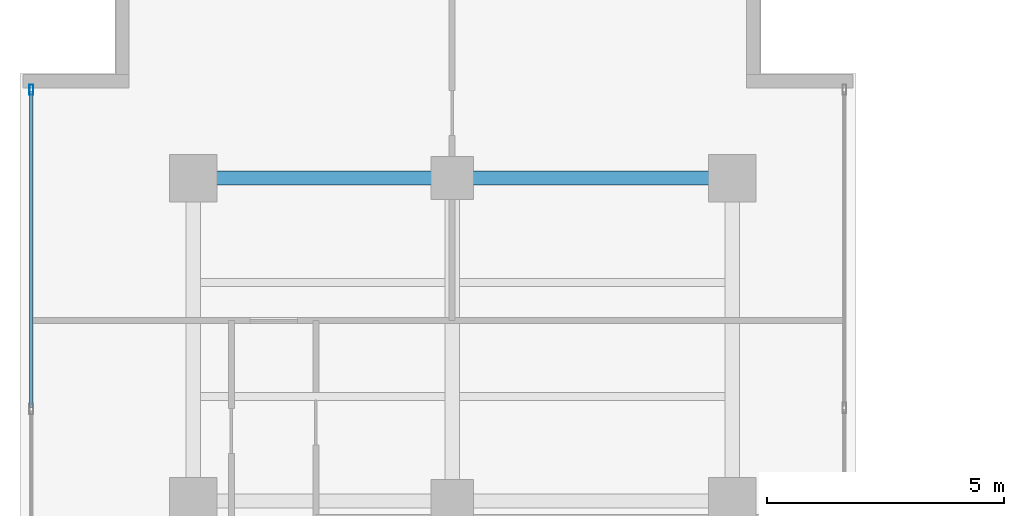
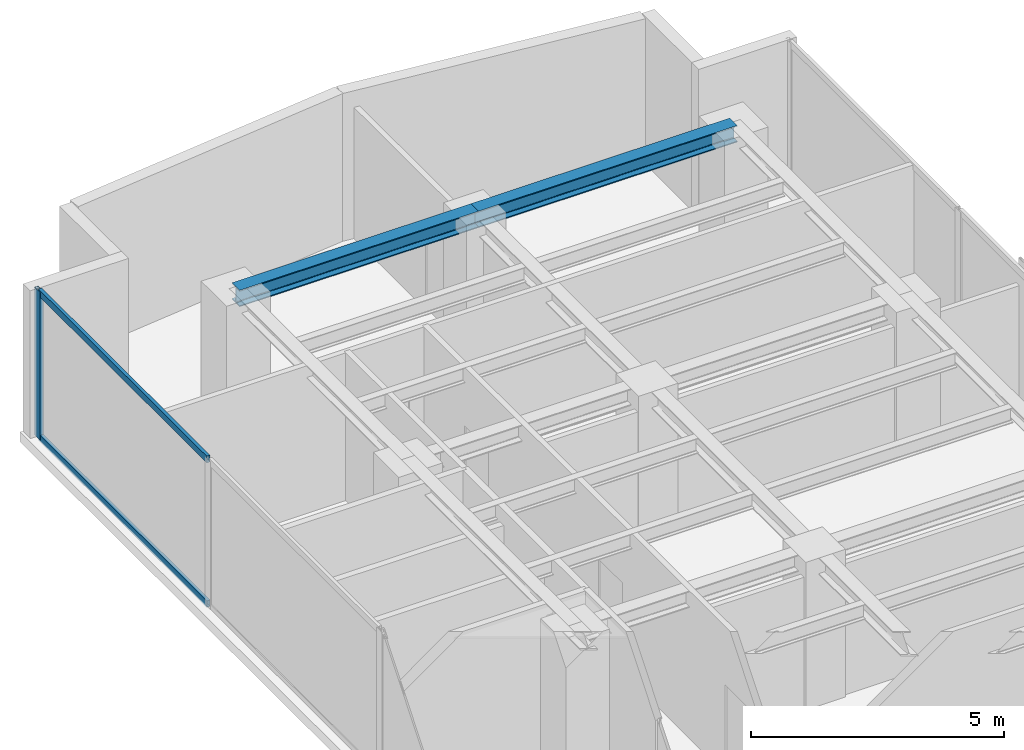
# One storey, part 14 of 23: 3 members, 2 beams, 1 element without a shape of its own.
"""IFC4 building model written with IfcOpenShell, lengths in metres."""

from ifc_helpers import new_model, si_unit, direction, frame, origin, origin_with_axes, origin_2d, place, context, subcontext, project, spatial, hollow_rectangle, i_section, extrude, source, transform, mapped, material, layer, layer_set, material_profile, profile_set, type_object, element, aggregate, save


model = new_model("IFC4")

# Units and contexts
model_context = context("Model", 3, precision=1e-05, world=origin(), true_north=direction((0.0, 1.0)))
body_context = subcontext(model_context, "Body", "Model", "MODEL_VIEW")
ifc_project = project(units=[si_unit("LENGTHUNIT", "METRE"), si_unit("AREAUNIT", "SQUARE_METRE"), si_unit("VOLUMEUNIT", "CUBIC_METRE"), si_unit("PLANEANGLEUNIT", "RADIAN"), si_unit("MASSUNIT", "GRAM", prefix="KILO")], contexts=[model_context])

# Site, building, storey
site_placement = place(None, origin())
site = spatial("IfcSite", under=ifc_project, at=site_placement, CompositionType="ELEMENT")
building_placement = place(site_placement, origin())
building = spatial("IfcBuilding", under=site, at=building_placement, Name="Kolvaren Waterfront Exchange", CompositionType="ELEMENT")
storey_placement = place(building_placement, frame((0.0, 0.0, 234.89990234375)))
storey = spatial("IfcBuildingStorey", under=building, at=storey_placement, Name="L60", CompositionType="ELEMENT", Elevation=234.89990234375)

# Beams
ifc_material_1 = material(Name="Steel S355", Category="steel")
ifc_material_profile_1 = material_profile(ifc_material_1, i_section(OverallWidth=0.300048828125, OverallDepth=0.39990234375, WebThickness=0.013427734375, FlangeThickness=0.02392578125, FilletRadius=0.027099609375, at=origin_2d()), Name="HEB400")
ifc_profile_set_1 = profile_set([ifc_material_profile_1], Name="Steel S355")
beam_type = type_object("IfcBeamType", Name="STR-BM-HEB400", PredefinedType="BEAM", material=ifc_profile_set_1)
beam_1_placement = place(storey_placement, frame((7.449951171875, 44.60009765625, 3.360107421875), z_axis=(1.0, 0.0, 0.0), x_axis=(0.0, 1.0, 0.0)))
element("IfcBeam", 1, at=beam_1_placement, inside=storey, type_object=beam_type, Name="L60 north-arm girder 4A", PredefinedType="BEAM", context=body_context, shape_type="SweptSolid", body=[
    extrude(i_section(OverallWidth=0.300048828125, OverallDepth=0.39990234375, WebThickness=0.013427734375, FlangeThickness=0.02392578125, FilletRadius=0.027099609375, at=origin_2d()), origin(), (0.0, 0.0, 1.0), 5.449951171875),
])
beam_2_placement = place(storey_placement, frame((12.89990234375, 44.60009765625, 3.360107421875), z_axis=(1.0, 0.0, 0.0), x_axis=(0.0, 1.0, 0.0)))
element("IfcBeam", 2, at=beam_2_placement, inside=storey, type_object=beam_type, Name="L60 north-arm girder 4B", PredefinedType="BEAM", context=body_context, shape_type="SweptSolid", body=[
    extrude(i_section(OverallWidth=0.300048828125, OverallDepth=0.39990234375, WebThickness=0.013427734375, FlangeThickness=0.02392578125, FilletRadius=0.027099609375, at=origin_2d()), origin(), (0.0, 0.0, 1.0), 5.900146484375),
])

# Curtain wall, members
ifc_material_2 = material(Name="Anodised aluminium 6063-T6", Category="aluminium")
ifc_layer = layer(ifc_material_2, 0.219970703125, Name="Anodised aluminium 6063-T6")
ifc_layer_set = layer_set([ifc_layer], Name="Anodised aluminium 6063-T6")
curtain_wall_type = type_object("IfcCurtainWallType", Name="ARC-CW-SYS2", PredefinedType="USERDEFINED", material=ifc_layer_set)
curtain_wall_placement = place(storey_placement, origin())
curtain_wall = element("IfcCurtainWall", 3, at=curtain_wall_placement, inside=storey, type_object=curtain_wall_type, Name="L60 stick curtain wall CW2 (CW-L60-W)", ObjectType="STICK CURTAIN WALL", PredefinedType="USERDEFINED")
ifc_material_profile_2 = material_profile(ifc_material_2, hollow_rectangle(XDim=0.080078125, YDim=0.219970703125, WallThickness=0.0048828125, at=origin_2d()), Name="ALU-MUL-220x80x5")
ifc_profile_set_2 = profile_set([ifc_material_profile_2], Name="Anodised aluminium 6063-T6")
member_type_1 = type_object("IfcMemberType", Name="ARC-CWM-220", PredefinedType="MULLION", material=ifc_profile_set_2)
shared_shape_1 = source(origin_with_axes(), body_context, "Body", "SweptSolid", [
    extrude(hollow_rectangle(XDim=0.080078125, YDim=0.219970703125, WallThickness=0.0048828125, at=origin_2d()), origin(), (0.0, 0.0, 1.0), 3.56005859375),
])
member_1_placement = place(storey_placement, frame((4.0400390625, 46.4599609375, 0.0), z_axis=(0.0, 0.0, 1.0), x_axis=(-1.0, 0.0, 0.0)))
member_1 = element("IfcMember", 4, at=member_1_placement, type_object=member_type_1, Name="CW2 mullion 7", PredefinedType="MULLION", context=body_context, shape_type="MappedRepresentation", body=[
    mapped(shared_shape_1, transform((0.0, 0.0, 0.0), x_axis=(1.0, 0.0, 0.0), y_axis=(0.0, 1.0, 0.0), z_axis=(0.0, 0.0, 1.0), scale=1.0)),
])
ifc_material_profile_3 = material_profile(ifc_material_2, hollow_rectangle(XDim=0.074951171875, YDim=0.159912109375, WallThickness=0.00439453125, at=origin_2d()), Name="ALU-TRN-160x75x4.5")
ifc_profile_set_3 = profile_set([ifc_material_profile_3], Name="Anodised aluminium 6063-T6")
member_type_2 = type_object("IfcMemberType", Name="ARC-CWT-160", PredefinedType="USERDEFINED", material=ifc_profile_set_3)
shared_shape_2 = source(origin_with_axes(), body_context, "Body", "SweptSolid", [
    extrude(hollow_rectangle(XDim=0.074951171875, YDim=0.159912109375, WallThickness=0.00439453125, at=origin_2d()), origin(), (0.0, 0.0, 1.0), 6.646484375),
])
member_2_placement = place(storey_placement, frame((4.0400390625, 39.7734375, 0.03759765625), z_axis=(0.0, 1.0, 0.0), x_axis=(-1.0, 0.0, 0.0)))
member_2 = element("IfcMember", 5, at=member_2_placement, type_object=member_type_2, Name="CW2 transom 6.1", ObjectType="TRANSOM", PredefinedType="USERDEFINED", context=body_context, shape_type="MappedRepresentation", body=[
    mapped(shared_shape_2, transform((0.0, 0.0, 0.0), x_axis=(1.0, 0.0, 0.0), y_axis=(0.0, 1.0, 0.0), z_axis=(0.0, 0.0, 1.0), scale=1.0)),
])
member_3_placement = place(storey_placement, frame((4.0400390625, 39.7734375, 3.522705078125), z_axis=(0.0, 1.0, 0.0), x_axis=(-1.0, 0.0, 0.0)))
member_3 = element("IfcMember", 6, at=member_3_placement, type_object=member_type_2, Name="CW2 transom 6.2", ObjectType="TRANSOM", PredefinedType="USERDEFINED", context=body_context, shape_type="MappedRepresentation", body=[
    mapped(shared_shape_2, transform((0.0, 0.0, 0.0), x_axis=(1.0, 0.0, 0.0), y_axis=(0.0, 1.0, 0.0), z_axis=(0.0, 0.0, 1.0), scale=1.0)),
])
aggregate(curtain_wall, [member_1, member_2, member_3])

save(model, "model.ifc")
